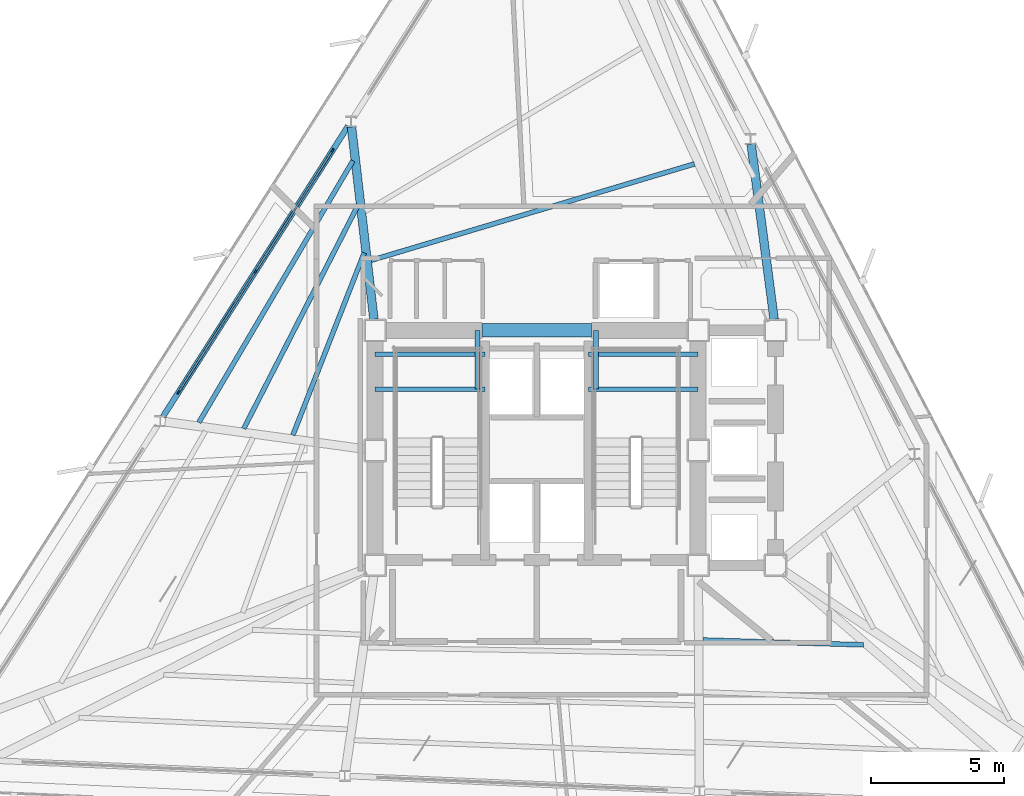
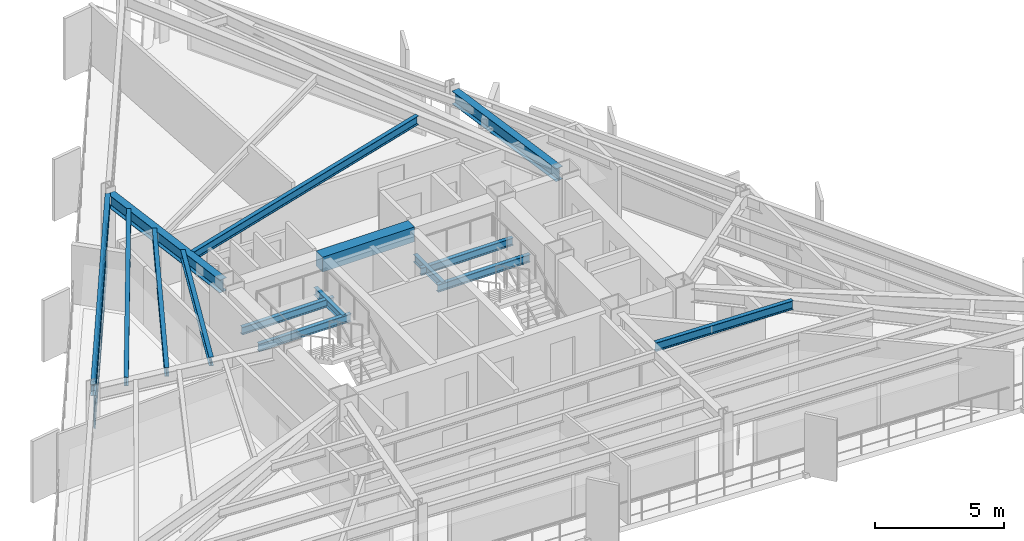
# One storey, part 3 of 12: 15 beams, 7 members, 1 element without a shape of its own.
"""IFC4 building model written with IfcOpenShell, lengths in metres."""

from ifc_helpers import new_model, si_unit, direction, frame, origin, origin_2d, place, context, subcontext, project, spatial, rectangle, i_section, extrude, material, layer, layer_set, material_profile, profile_set, type_object, element, aggregate, save


model = new_model("IFC4")

# Units and contexts
model_context = context("Model", 3, precision=1e-05, world=origin(), true_north=direction((0.0, 1.0)))
body_context = subcontext(model_context, "Body", "Model", "MODEL_VIEW")
ifc_project = project(units=[si_unit("LENGTHUNIT", "METRE"), si_unit("AREAUNIT", "SQUARE_METRE"), si_unit("VOLUMEUNIT", "CUBIC_METRE"), si_unit("PLANEANGLEUNIT", "RADIAN"), si_unit("MASSUNIT", "GRAM", prefix="KILO")], contexts=[model_context])

# Site, building, storey
site_placement = place(None, origin())
site = spatial("IfcSite", under=ifc_project, at=site_placement, CompositionType="ELEMENT")
building_placement = place(site_placement, origin())
building = spatial("IfcBuilding", under=site, at=building_placement, Name="Rocaltana Carrier Exchange", CompositionType="ELEMENT")
storey_placement = place(building_placement, frame((0.0, 0.0, 128.9599609375)))
storey = spatial("IfcBuildingStorey", under=building, at=storey_placement, Name="L40", CompositionType="ELEMENT", Elevation=128.9599609375)

# Curtain wall, members
ifc_material_1 = material(Name="Aluminium 6063-T6", Category="aluminium")
ifc_layer = layer(ifc_material_1, 0.14990234375)
ifc_layer_set = layer_set([ifc_layer], Name="Aluminium 6063-T6")
curtain_wall_type = type_object("IfcCurtainWallType", Name="Mid-Tower Unitised Curtain Wall CW-03", PredefinedType="NOTDEFINED", material=ifc_layer_set)
curtain_wall_placement = place(storey_placement, origin())
curtain_wall = element("IfcCurtainWall", 1, at=curtain_wall_placement, inside=storey, type_object=curtain_wall_type, Name="L40 CW-03 Run CW-L40-F2S2", PredefinedType="NOTDEFINED")
ifc_material_2 = material(Name="Aluminium 6063-T6", Category="aluminium")
ifc_material_profile_1 = material_profile(ifc_material_2, rectangle(XDim=0.06005859375, YDim=0.14990234375, at=origin_2d()), Name="AL-60X150")
ifc_profile_set_1 = profile_set([ifc_material_profile_1], Name="Aluminium 6063-T6")
member_type_1 = type_object("IfcMemberType", Name="CW-03 Mullion AL-60X150", PredefinedType="MULLION", material=ifc_profile_set_1)
member_1_placement = place(storey_placement, frame((-7.6494140625, 11.240478515625, 0.0), z_axis=(0.0, 0.0, 1.0), x_axis=(0.843390685726, -0.537300801443, 0.0)))
member_1 = element("IfcMember", 2, at=member_1_placement, type_object=member_type_1, Name="CW-03 mullion 1", PredefinedType="MULLION", context=body_context, shape_type="SweptSolid", body=[
    extrude(rectangle(XDim=0.06005859375, YDim=0.14990234375, at=origin_2d()), origin(), (0.0, 0.0, 1.0), 2.218017578125),
])
member_2_placement = place(storey_placement, frame((-10.53466796875, 6.71142578125, 0.0), z_axis=(0.0, 0.0, 1.0), x_axis=(0.843390685726, -0.537300801443, 0.0)))
member_2 = element("IfcMember", 3, at=member_2_placement, type_object=member_type_1, Name="CW-03 mullion 2", PredefinedType="MULLION", context=body_context, shape_type="SweptSolid", body=[
    extrude(rectangle(XDim=0.06005859375, YDim=0.14990234375, at=origin_2d()), origin(), (0.0, 0.0, 1.0), 2.218017578125),
])
member_3_placement = place(storey_placement, frame((-13.420166015625, 2.182373046875, 0.0), z_axis=(0.0, 0.0, 1.0), x_axis=(0.843390685726, -0.537300801443, 0.0)))
member_3 = element("IfcMember", 4, at=member_3_placement, type_object=member_type_1, Name="CW-03 mullion 3", PredefinedType="MULLION", context=body_context, shape_type="SweptSolid", body=[
    extrude(rectangle(XDim=0.06005859375, YDim=0.14990234375, at=origin_2d()), origin(), (0.0, 0.0, 1.0), 2.218017578125),
])
ifc_material_3 = material(Name="Aluminium 6063-T6", Category="aluminium")
ifc_material_profile_2 = material_profile(ifc_material_3, rectangle(XDim=0.06005859375, YDim=0.14990234375, at=origin_2d()), Name="AL-60X150")
ifc_profile_set_2 = profile_set([ifc_material_profile_2], Name="Aluminium 6063-T6")
member_type_2 = type_object("IfcMemberType", Name="CW-03 Transom AL-60X150", PredefinedType="USERDEFINED", material=ifc_profile_set_2)
member_4_placement = place(storey_placement, frame((-7.66552734375, 11.215087890625, 0.030029296875), z_axis=(-0.537285975238, -0.843400130906, 0.0), x_axis=(0.843400130906, -0.537285975238, 0.0)))
member_4 = element("IfcMember", 5, at=member_4_placement, type_object=member_type_2, Name="CW-03 transom 1.1", ObjectType="TRANSOM", PredefinedType="USERDEFINED", context=body_context, shape_type="SweptSolid", body=[
    extrude(rectangle(XDim=0.06005859375, YDim=0.14990234375, at=origin_2d()), origin(), (0.0, 0.0, 1.0), 5.31005859375),
])
member_5_placement = place(storey_placement, frame((-7.66552734375, 11.215087890625, 2.18798828125), z_axis=(-0.537285975238, -0.843400130906, 0.0), x_axis=(0.843400130906, -0.537285975238, 0.0)))
member_5 = element("IfcMember", 6, at=member_5_placement, type_object=member_type_2, Name="CW-03 transom 1.2", ObjectType="TRANSOM", PredefinedType="USERDEFINED", context=body_context, shape_type="SweptSolid", body=[
    extrude(rectangle(XDim=0.06005859375, YDim=0.14990234375, at=origin_2d()), origin(), (0.0, 0.0, 1.0), 5.31005859375),
])
member_6_placement = place(storey_placement, frame((-10.55078125, 6.68603515625, 0.030029296875), z_axis=(-0.537318678484, -0.843379296493, 0.0), x_axis=(0.843379296493, -0.537318678484, 0.0)))
member_6 = element("IfcMember", 7, at=member_6_placement, type_object=member_type_2, Name="CW-03 transom 2.1", ObjectType="TRANSOM", PredefinedType="USERDEFINED", context=body_context, shape_type="SweptSolid", body=[
    extrude(rectangle(XDim=0.06005859375, YDim=0.14990234375, at=origin_2d()), origin(), (0.0, 0.0, 1.0), 5.310302734375),
])
member_7_placement = place(storey_placement, frame((-10.55078125, 6.68603515625, 2.18798828125), z_axis=(-0.537318678484, -0.843379296493, 0.0), x_axis=(0.843379296493, -0.537318678484, 0.0)))
member_7 = element("IfcMember", 8, at=member_7_placement, type_object=member_type_2, Name="CW-03 transom 2.2", ObjectType="TRANSOM", PredefinedType="USERDEFINED", context=body_context, shape_type="SweptSolid", body=[
    extrude(rectangle(XDim=0.06005859375, YDim=0.14990234375, at=origin_2d()), origin(), (0.0, 0.0, 1.0), 5.310302734375),
])
aggregate(curtain_wall, [member_1, member_2, member_3, member_4, member_5, member_6, member_7])

# Beams
ifc_material_4 = material(Name="Concrete C60/75", Category="concrete")
ifc_material_profile_3 = material_profile(ifc_material_4, rectangle(XDim=0.5, YDim=0.699951171875, at=origin_2d()), Name="RC-BM-500X700")
ifc_profile_set_3 = profile_set([ifc_material_profile_3], Name="Concrete C60/75")
beam_type_1 = type_object("IfcBeamType", Name="Core Coupling Lintel 500x700", PredefinedType="LINTEL", material=ifc_profile_set_3)
beam_1_placement = place(storey_placement, frame((-2.050048828125, 4.5, 2.43798828125), z_axis=(1.0, 0.0, 0.0), x_axis=(0.0, 1.0, 0.0)))
element("IfcBeam", 9, at=beam_1_placement, inside=storey, type_object=beam_type_1, Name="L40 Core Coupling Lintel CL-N", PredefinedType="LINTEL", context=body_context, shape_type="SweptSolid", body=[
    extrude(rectangle(XDim=0.5, YDim=0.699951171875, at=origin_2d()), origin(), (0.0, 0.0, 1.0), 4.10009765625),
])
ifc_material_5 = material(Name="Steel S355", Category="steel")
ifc_material_profile_4 = material_profile(ifc_material_5, i_section(OverallWidth=0.172119140625, OverallDepth=0.35791015625, WebThickness=0.0078125, FlangeThickness=0.01318359375, FilletRadius=0.011962890625, at=origin_2d()), Name="W14X38")
ifc_profile_set_4 = profile_set([ifc_material_profile_4], Name="Steel S355")
beam_type_2 = type_object("IfcBeamType", Name="Floor Joist W14X38", PredefinedType="JOIST", material=ifc_profile_set_4)
for number, where, z_axis, x_axis, name in (
    (10, (-6.050048828125, 2.300048828125, 1.14111328125), (1.0, 0.0, 0.0), (0.0, 1.0, 0.0), "L40 ST-1 Landing Carrier 1"),
    (11, (1.93994140625, 2.300048828125, 1.14111328125), (1.0, 0.0, 0.0), (0.0, 1.0, 0.0), "L40 ST-2 Landing Carrier 1"),
    (12, (-6.050048828125, 3.60009765625, 1.14111328125), (1.0, 0.0, 0.0), (0.0, 1.0, 0.0), "L40 ST-1 Landing Carrier 2"),
    (13, (1.93994140625, 3.60009765625, 1.14111328125), (1.0, 0.0, 0.0), (0.0, 1.0, 0.0), "L40 ST-2 Landing Carrier 2"),
):
    element("IfcBeam", number, at=place(storey_placement, frame(where, z_axis=z_axis, x_axis=x_axis)), inside=storey, type_object=beam_type_2, Name=name, PredefinedType="JOIST", context=body_context, shape_type="SweptSolid", body=[
        extrude(i_section(OverallWidth=0.172119140625, OverallDepth=0.35791015625, WebThickness=0.0078125, FlangeThickness=0.01318359375, FilletRadius=0.011962890625, at=origin_2d()), origin(), (0.0, 0.0, 1.0), 4.110107421875),
    ])
for number, where, z_axis, x_axis, name in (
    (14, (-2.219970703125, 2.300048828125, 1.14111328125), (0.0, 1.0, 0.0), (-1.0, 0.0, 0.0), "L40 ST-1 Landing Cross Trimmer"),
    (15, (2.219970703125, 2.300048828125, 1.14111328125), (0.0, 1.0, 0.0), (-1.0, 0.0, 0.0), "L40 ST-2 Landing Cross Trimmer"),
):
    element("IfcBeam", number, at=place(storey_placement, frame(where, z_axis=z_axis, x_axis=x_axis)), inside=storey, type_object=beam_type_2, Name=name, PredefinedType="JOIST", context=body_context, shape_type="SweptSolid", body=[
        extrude(i_section(OverallWidth=0.172119140625, OverallDepth=0.35791015625, WebThickness=0.0078125, FlangeThickness=0.01318359375, FilletRadius=0.011962890625, at=origin_2d()), origin(), (0.0, 0.0, 1.0), 2.199951171875),
    ])
ifc_material_6 = material(Name="Steel S355", Category="steel")
ifc_material_profile_5 = material_profile(ifc_material_6, i_section(OverallWidth=0.179931640625, OverallDepth=0.4130859375, WebThickness=0.009765625, FlangeThickness=0.01611328125, FilletRadius=0.012939453125, at=origin_2d()), Name="W16X50")
ifc_profile_set_5 = profile_set([ifc_material_profile_5], Name="Steel S355")
beam_type_3 = type_object("IfcBeamType", Name="Floor Joist W16X50", PredefinedType="JOIST", material=ifc_profile_set_5)
beam_2_placement = place(storey_placement, frame((5.907958984375, 10.737548828125, 2.58154296875), z_axis=(-0.958271792159, -0.285858658, 0.0), x_axis=(0.285858658, -0.958271792159, 0.0)))
element("IfcBeam", 16, at=beam_2_placement, inside=storey, type_object=beam_type_3, Name="FJ-L40-05-1", PredefinedType="JOIST", context=body_context, shape_type="SweptSolid", body=[
    extrude(i_section(OverallWidth=0.179931640625, OverallDepth=0.4130859375, WebThickness=0.009765625, FlangeThickness=0.01611328125, FilletRadius=0.012939453125, at=origin_2d()), origin(), (0.0, 0.0, 1.0), 12.63671875),
])
beam_3_placement = place(storey_placement, frame((-6.46240234375, 7.404541015625, 2.58154296875), z_axis=(-0.364527375861, -0.931192671926, 0.0), x_axis=(0.931192671926, -0.364527375861, 0.0)))
element("IfcBeam", 17, at=beam_3_placement, inside=storey, type_object=beam_type_3, Name="FJ-L40-06-1", PredefinedType="JOIST", context=body_context, shape_type="SweptSolid", body=[
    extrude(i_section(OverallWidth=0.179931640625, OverallDepth=0.4130859375, WebThickness=0.009765625, FlangeThickness=0.01611328125, FilletRadius=0.012939453125, at=origin_2d()), origin(), (0.0, 0.0, 1.0), 7.333740234375),
])
beam_4_placement = place(storey_placement, frame((-6.686279296875, 9.20947265625, 2.58154296875), z_axis=(-0.455271338629, -0.890352743705, 0.0), x_axis=(0.890352743705, -0.455271338629, 0.0)))
element("IfcBeam", 18, at=beam_4_placement, inside=storey, type_object=beam_type_3, Name="FJ-L40-06-2", PredefinedType="JOIST", context=body_context, shape_type="SweptSolid", body=[
    extrude(i_section(OverallWidth=0.179931640625, OverallDepth=0.4130859375, WebThickness=0.009765625, FlangeThickness=0.01611328125, FilletRadius=0.012939453125, at=origin_2d()), origin(), (0.0, 0.0, 1.0), 9.419921875),
])
beam_5_placement = place(storey_placement, frame((-6.885986328125, 10.856201171875, 2.58154296875), z_axis=(-0.507296695283, -0.86177146794, 0.0), x_axis=(0.86177146794, -0.507296695283, 0.0)))
element("IfcBeam", 19, at=beam_5_placement, inside=storey, type_object=beam_type_3, Name="FJ-L40-06-3", PredefinedType="JOIST", context=body_context, shape_type="SweptSolid", body=[
    extrude(i_section(OverallWidth=0.179931640625, OverallDepth=0.4130859375, WebThickness=0.009765625, FlangeThickness=0.01611328125, FilletRadius=0.012939453125, at=origin_2d()), origin(), (0.0, 0.0, 1.0), 11.37939453125),
])
beam_6_placement = place(storey_placement, frame((6.221923828125, -7.099609375, 2.58154296875), z_axis=(0.999543297857, -0.030219128192, 0.0), x_axis=(0.030219128192, 0.999543297857, 0.0)))
element("IfcBeam", 20, at=beam_6_placement, inside=storey, type_object=beam_type_3, Name="FJ-L40-11-1", PredefinedType="JOIST", context=body_context, shape_type="SweptSolid", body=[
    extrude(i_section(OverallWidth=0.179931640625, OverallDepth=0.4130859375, WebThickness=0.009765625, FlangeThickness=0.01611328125, FilletRadius=0.012939453125, at=origin_2d()), origin(), (0.0, 0.0, 1.0), 6.018798828125),
])
ifc_material_7 = material(Name="Steel S355", Category="steel")
ifc_material_profile_6 = material_profile(ifc_material_7, i_section(OverallWidth=0.323974609375, OverallDepth=0.611083984375, WebThickness=0.0126953125, FlangeThickness=0.01904296875, FilletRadius=0.01611328125, at=origin_2d()), Name="W24X104")
ifc_profile_set_6 = profile_set([ifc_material_profile_6], Name="Steel S355")
beam_type_4 = type_object("IfcBeamType", Name="Radial Girder W24X104", PredefinedType="BEAM", material=ifc_profile_set_6)
beam_7_placement = place(storey_placement, frame((8.895751953125, 4.91357421875, 2.482421875), z_axis=(-0.130195806294, 0.991488301506, 0.0), x_axis=(-0.991488301506, -0.130195806294, 0.0)))
element("IfcBeam", 21, at=beam_7_placement, inside=storey, type_object=beam_type_4, Name="RG-L40-03", PredefinedType="BEAM", context=body_context, shape_type="SweptSolid", body=[
    extrude(i_section(OverallWidth=0.323974609375, OverallDepth=0.611083984375, WebThickness=0.0126953125, FlangeThickness=0.01904296875, FilletRadius=0.01611328125, at=origin_2d()), origin(), (0.0, 0.0, 1.0), 6.61572265625),
])
beam_8_placement = place(storey_placement, frame((-6.098388671875, 4.914306640625, 2.482421875), z_axis=(-0.115803295245, 0.993272166534, 0.0), x_axis=(-0.993272166534, -0.115803295245, 0.0)))
element("IfcBeam", 22, at=beam_8_placement, inside=storey, type_object=beam_type_4, Name="RG-L40-06", PredefinedType="BEAM", context=body_context, shape_type="SweptSolid", body=[
    extrude(i_section(OverallWidth=0.323974609375, OverallDepth=0.611083984375, WebThickness=0.0126953125, FlangeThickness=0.01904296875, FilletRadius=0.01611328125, at=origin_2d()), origin(), (0.0, 0.0, 1.0), 7.2607421875),
])
ifc_material_8 = material(Name="Steel S355", Category="steel")
ifc_material_profile_7 = material_profile(ifc_material_8, i_section(OverallWidth=0.2119140625, OverallDepth=0.5439453125, WebThickness=0.01318359375, FlangeThickness=0.021240234375, FilletRadius=0.014892578125, at=origin_2d()), Name="W21X83")
ifc_profile_set_7 = profile_set([ifc_material_profile_7], Name="Steel S355")
beam_type_5 = type_object("IfcBeamType", Name="Spandrel Edge Beam W21X83", PredefinedType="SPANDREL", material=ifc_profile_set_7)
beam_9_placement = place(storey_placement, frame((-7.06640625, 12.155517578125, 2.51611328125), z_axis=(-0.537298808094, -0.84339195563, 0.0), x_axis=(0.84339195563, -0.537298808094, 0.0)))
element("IfcBeam", 23, at=beam_9_placement, inside=storey, type_object=beam_type_5, Name="SP-L40-06", PredefinedType="SPANDREL", context=body_context, shape_type="SweptSolid", body=[
    extrude(i_section(OverallWidth=0.2119140625, OverallDepth=0.5439453125, WebThickness=0.01318359375, FlangeThickness=0.021240234375, FilletRadius=0.014892578125, at=origin_2d()), origin(), (0.0, 0.0, 1.0), 12.909912109375),
])

save(model, "model.ifc")
